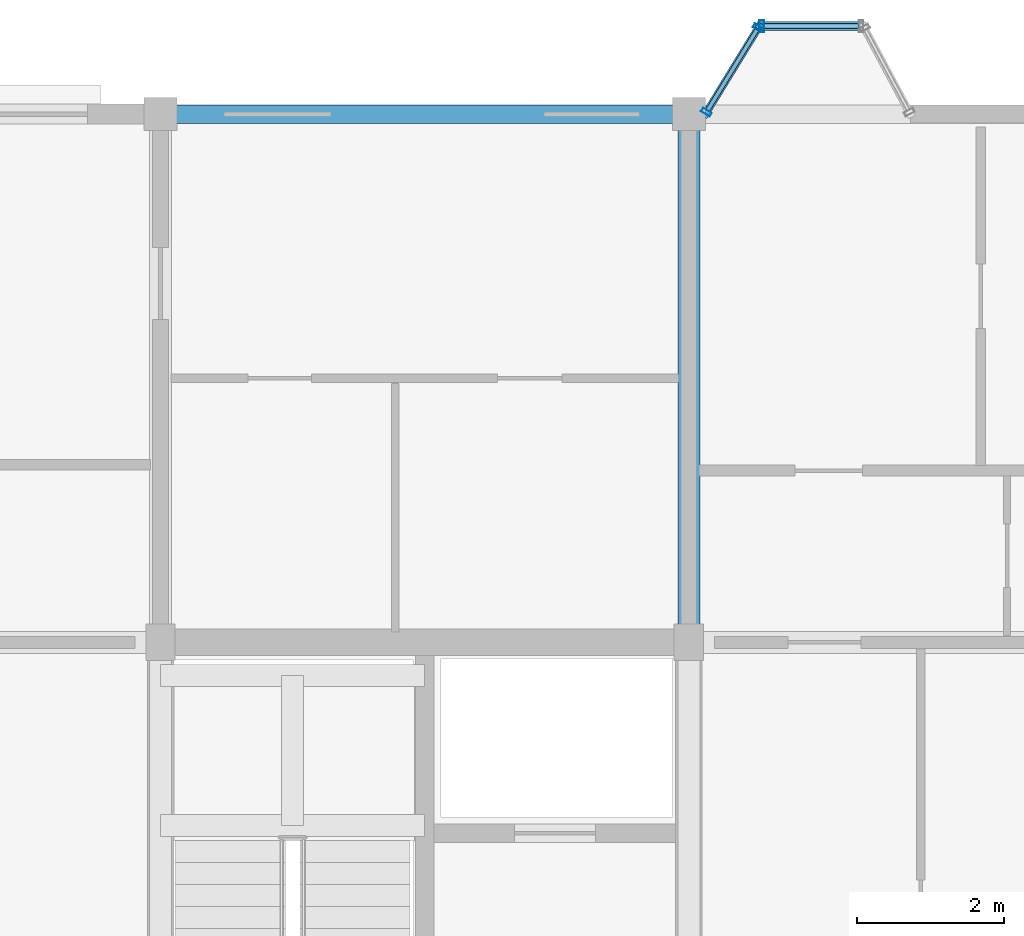
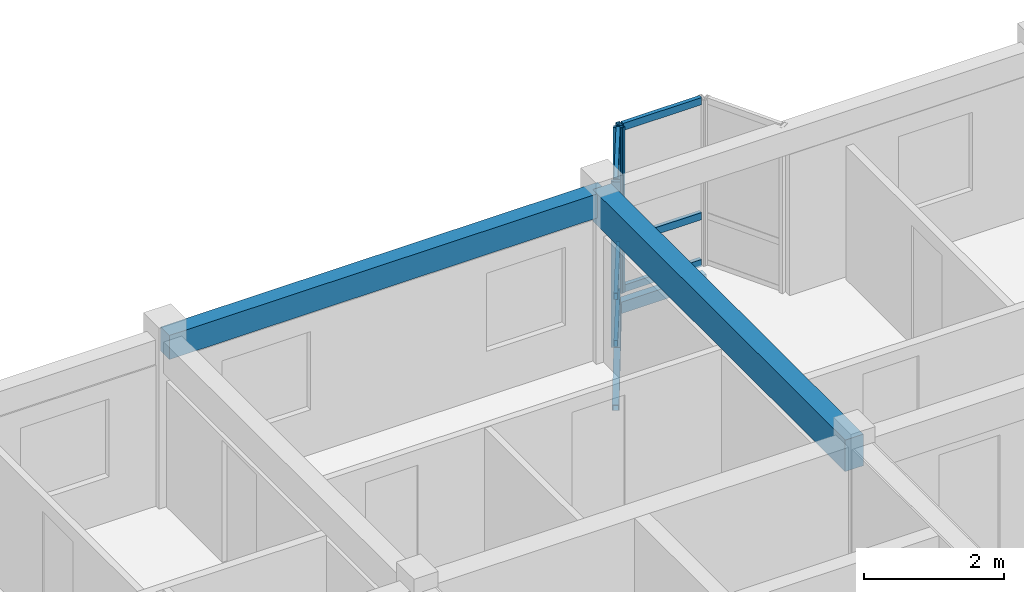
# One storey, part 19 of 40: 11 members, 2 beams, 2 elements without a shape of their own.
"""IFC4 building model written with IfcOpenShell, lengths in metres."""

from ifc_helpers import new_model, si_unit, direction, frame, origin, origin_2d, place, context, subcontext, project, spatial, rectangle, hollow_rectangle, extrude, material, layer, layer_set, material_profile, profile_set, type_object, element, aggregate, save


model = new_model("IFC4")

# Units and contexts
model_context = context("Model", 3, precision=1e-05, world=origin(), true_north=direction((0.0, 1.0)))
body_context = subcontext(model_context, "Body", "Model", "MODEL_VIEW")
ifc_project = project(units=[si_unit("LENGTHUNIT", "METRE"), si_unit("AREAUNIT", "SQUARE_METRE"), si_unit("VOLUMEUNIT", "CUBIC_METRE"), si_unit("PLANEANGLEUNIT", "RADIAN"), si_unit("MASSUNIT", "GRAM", prefix="KILO"), si_unit("THERMODYNAMICTEMPERATUREUNIT", "KELVIN"), si_unit("POWERUNIT", "WATT")], contexts=[model_context])

# Site, building, storey
site_placement = place(None, origin())
site = spatial("IfcSite", under=ifc_project, at=site_placement, CompositionType="ELEMENT")
building_placement = place(site_placement, origin())
building = spatial("IfcBuilding", under=site, at=building_placement, Name="Tavuni Mirador Residences", CompositionType="ELEMENT")
storey_placement = place(building_placement, frame((0.0, 0.0, 36.0)))
storey = spatial("IfcBuildingStorey", under=building, at=storey_placement, Name="L11", CompositionType="ELEMENT", Elevation=36.0)

# Beams
ifc_material_1 = material(Name="Precast concrete C40/50", Category="concrete")
ifc_material_profile_1 = material_profile(ifc_material_1, rectangle(XDim=0.300048828125, YDim=0.550048828125, at=origin_2d()), Name="PC 300x550", Category="concrete")
ifc_profile_set_1 = profile_set([ifc_material_profile_1], Name="Precast concrete C40/50")
beam_type_1 = type_object("IfcBeamType", Name="BT-B550", PredefinedType="BEAM", material=ifc_profile_set_1)
beam_1_placement = place(storey_placement, frame((32.39990234375, 165.60009765625, 2.610107421875), z_axis=(0.0, 1.0, 0.0), x_axis=(-1.0, 0.0, 0.0)))
element("IfcBeam", 1, at=beam_1_placement, inside=storey, type_object=beam_type_1, Name="BMY-BLK-C-L11-02-02", PredefinedType="BEAM", context=body_context, shape_type="SweptSolid", body=[
    extrude(rectangle(XDim=0.300048828125, YDim=0.550048828125, at=origin_2d()), origin(), (0.0, 0.0, 1.0), 7.199951171875),
])
ifc_material_profile_2 = material_profile(ifc_material_1, rectangle(XDim=0.25, YDim=0.419921875, at=origin_2d()), Name="PC 250x420", Category="concrete")
ifc_profile_set_2 = profile_set([ifc_material_profile_2], Name="Precast concrete C40/50")
beam_type_2 = type_object("IfcBeamType", Name="BT-SP420", PredefinedType="SPANDREL", material=ifc_profile_set_2)
beam_2_placement = place(storey_placement, frame((25.199951171875, 172.800048828125, 2.675048828125), z_axis=(1.0, 0.0, 0.0), x_axis=(0.0, 1.0, 0.0)))
element("IfcBeam", 2, at=beam_2_placement, inside=storey, type_object=beam_type_2, Name="BMX-BLK-C-L11-01-03", PredefinedType="SPANDREL", context=body_context, shape_type="SweptSolid", body=[
    extrude(rectangle(XDim=0.25, YDim=0.419921875, at=origin_2d()), origin(), (0.0, 0.0, 1.0), 7.199951171875),
])

# Curtain wall, members
ifc_material_2 = material(Name="Anodised aluminium", Category="aluminium")
ifc_layer_1 = layer(ifc_material_2, 0.1650390625, Name="Anodised aluminium", Category="aluminium")
ifc_layer_set_1 = layer_set([ifc_layer_1], Name="Anodised aluminium")
curtain_wall_type_1 = type_object("IfcCurtainWallType", Name="CWT-MIR-A", PredefinedType="NOTDEFINED", material=ifc_layer_set_1)
curtain_wall_1_placement = place(storey_placement, origin())
curtain_wall_1 = element("IfcCurtainWall", 3, at=curtain_wall_1_placement, inside=storey, type_object=curtain_wall_type_1, Name="CW-MIR-C-N2-L11-M2", PredefinedType="NOTDEFINED")
ifc_material_profile_3 = material_profile(ifc_material_2, hollow_rectangle(XDim=0.06005859375, YDim=0.139892578125, WallThickness=0.00390625, at=origin_2d()), Name="ALU 60x140x4.0", Category="aluminium")
ifc_profile_set_3 = profile_set([ifc_material_profile_3], Name="Anodised aluminium")
member_type_1 = type_object("IfcMemberType", Name="CWM-140", PredefinedType="MULLION", material=ifc_profile_set_3)
member_1_placement = place(storey_placement, frame((33.34423828125, 173.974365234375, 0.0), z_axis=(0.0, 0.0, 1.0), x_axis=(-0.522312079088, -0.852754414845, 0.0)))
member_1 = element("IfcMember", 4, at=member_1_placement, type_object=member_type_1, Name="CW-01 mullion 1", PredefinedType="MULLION", context=body_context, shape_type="SweptSolid", body=[
    extrude(hollow_rectangle(XDim=0.06005859375, YDim=0.139892578125, WallThickness=0.00390625, at=origin_2d()), origin(), (0.0, 0.0, 1.0), 2.885009765625),
])
member_2_placement = place(storey_placement, frame((32.640625, 172.82568359375, 0.0), z_axis=(0.0, 0.0, 1.0), x_axis=(-0.522312079088, -0.852754414845, 0.0)))
member_2 = element("IfcMember", 5, at=member_2_placement, type_object=member_type_1, Name="CW-01 mullion 2", PredefinedType="MULLION", context=body_context, shape_type="SweptSolid", body=[
    extrude(hollow_rectangle(XDim=0.06005859375, YDim=0.139892578125, WallThickness=0.00390625, at=origin_2d()), origin(), (0.0, 0.0, 1.0), 2.885009765625),
])

# Curtain wall, member
ifc_layer_2 = layer(ifc_material_2, 0.159912109375, Name="Anodised aluminium", Category="aluminium")
ifc_layer_set_2 = layer_set([ifc_layer_2], Name="Anodised aluminium")
curtain_wall_type_2 = type_object("IfcCurtainWallType", Name="CWT-MIR-D", PredefinedType="NOTDEFINED", material=ifc_layer_set_2)
curtain_wall_2_placement = place(storey_placement, origin())
curtain_wall_2 = element("IfcCurtainWall", 6, at=curtain_wall_2_placement, inside=storey, type_object=curtain_wall_type_2, Name="CW-MIR-C-N2-L11-MF", PredefinedType="NOTDEFINED")
ifc_material_profile_4 = material_profile(ifc_material_2, hollow_rectangle(XDim=0.06494140625, YDim=0.1650390625, WallThickness=0.00439453125, at=origin_2d()), Name="ALU 65x165x4.5", Category="aluminium")
ifc_profile_set_4 = profile_set([ifc_material_profile_4], Name="Anodised aluminium")
member_type_2 = type_object("IfcMemberType", Name="CWM-165", PredefinedType="MULLION", material=ifc_profile_set_4)
member_3_placement = place(storey_placement, frame((33.392578125, 174.0, 0.0), z_axis=(0.0, 0.0, 1.0), x_axis=(-1.0, 0.0, 0.0)))
member_3 = element("IfcMember", 7, at=member_3_placement, type_object=member_type_2, Name="CW-04 mullion 2", PredefinedType="MULLION", context=body_context, shape_type="SweptSolid", body=[
    extrude(hollow_rectangle(XDim=0.06494140625, YDim=0.1650390625, WallThickness=0.00439453125, at=origin_2d()), origin(), (0.0, 0.0, 1.0), 2.885009765625),
])

# Member
ifc_material_profile_5 = material_profile(ifc_material_2, hollow_rectangle(XDim=0.06005859375, YDim=0.110107421875, WallThickness=0.00390625, at=origin_2d()), Name="ALU 60x110x4.0", Category="aluminium")
ifc_profile_set_5 = profile_set([ifc_material_profile_5], Name="Anodised aluminium")
member_type_3 = type_object("IfcMemberType", Name="CWT-110", PredefinedType="USERDEFINED", material=ifc_profile_set_5)
member_4_placement = place(storey_placement, frame((33.32861328125, 173.94873046875, 0.030029296875), z_axis=(-0.522339663439, -0.852737518817, 0.0), x_axis=(0.852737518817, -0.522339663439, 0.0)))
member_4 = element("IfcMember", 8, at=member_4_placement, type_object=member_type_3, Name="CW-01 transom 1.1", ObjectType="TRANSOM", PredefinedType="USERDEFINED", context=body_context, shape_type="SweptSolid", body=[
    extrude(hollow_rectangle(XDim=0.06005859375, YDim=0.110107421875, WallThickness=0.00390625, at=origin_2d()), origin(), (0.0, 0.0, 1.0), 1.287109375),
])

member_5_placement = place(storey_placement, frame((33.32861328125, 173.94873046875, 0.85009765625), z_axis=(-0.522339663439, -0.852737518817, 0.0), x_axis=(0.852737518817, -0.522339663439, 0.0)))
member_5 = element("IfcMember", 9, at=member_5_placement, type_object=member_type_3, Name="CW-01 transom 1.2", ObjectType="TRANSOM", PredefinedType="USERDEFINED", context=body_context, shape_type="SweptSolid", body=[
    extrude(hollow_rectangle(XDim=0.06005859375, YDim=0.110107421875, WallThickness=0.00390625, at=origin_2d()), origin(), (0.0, 0.0, 1.0), 1.287109375),
])

member_6_placement = place(storey_placement, frame((33.32861328125, 173.94873046875, 2.85498046875), z_axis=(-0.522339663439, -0.852737518817, 0.0), x_axis=(0.852737518817, -0.522339663439, 0.0)))
member_6 = element("IfcMember", 10, at=member_6_placement, type_object=member_type_3, Name="CW-01 transom 1.3", ObjectType="TRANSOM", PredefinedType="USERDEFINED", context=body_context, shape_type="SweptSolid", body=[
    extrude(hollow_rectangle(XDim=0.06005859375, YDim=0.110107421875, WallThickness=0.00390625, at=origin_2d()), origin(), (0.0, 0.0, 1.0), 1.287109375),
])

aggregate(curtain_wall_1, [member_1, member_2, member_4, member_5, member_6])

ifc_material_profile_6 = material_profile(ifc_material_2, hollow_rectangle(XDim=0.06494140625, YDim=0.125, WallThickness=0.00439453125, at=origin_2d()), Name="ALU 65x125x4.5", Category="aluminium")
ifc_profile_set_6 = profile_set([ifc_material_profile_6], Name="Anodised aluminium")
member_type_4 = type_object("IfcMemberType", Name="CWT-125", PredefinedType="USERDEFINED", material=ifc_profile_set_6)
member_7_placement = place(storey_placement, frame((34.715087890625, 174.0, 0.032470703125), z_axis=(-1.0, 0.0, 0.0), x_axis=(0.0, -1.0, 0.0)))
member_7 = element("IfcMember", 11, at=member_7_placement, type_object=member_type_4, Name="CW-04 transom 1.1", ObjectType="TRANSOM", PredefinedType="USERDEFINED", context=body_context, shape_type="SweptSolid", body=[
    extrude(hollow_rectangle(XDim=0.06494140625, YDim=0.125, WallThickness=0.00439453125, at=origin_2d()), origin(), (0.0, 0.0, 1.0), 1.2900390625),
])

member_8_placement = place(storey_placement, frame((34.715087890625, 174.0, 0.85009765625), z_axis=(-1.0, 0.0, 0.0), x_axis=(0.0, -1.0, 0.0)))
member_8 = element("IfcMember", 12, at=member_8_placement, type_object=member_type_4, Name="CW-04 transom 1.2", ObjectType="TRANSOM", PredefinedType="USERDEFINED", context=body_context, shape_type="SweptSolid", body=[
    extrude(hollow_rectangle(XDim=0.06494140625, YDim=0.125, WallThickness=0.00439453125, at=origin_2d()), origin(), (0.0, 0.0, 1.0), 1.2900390625),
])

member_9_placement = place(storey_placement, frame((34.715087890625, 174.0, 2.8525390625), z_axis=(-1.0, 0.0, 0.0), x_axis=(0.0, -1.0, 0.0)))
member_9 = element("IfcMember", 13, at=member_9_placement, type_object=member_type_4, Name="CW-04 transom 1.3", ObjectType="TRANSOM", PredefinedType="USERDEFINED", context=body_context, shape_type="SweptSolid", body=[
    extrude(hollow_rectangle(XDim=0.06494140625, YDim=0.125, WallThickness=0.00439453125, at=origin_2d()), origin(), (0.0, 0.0, 1.0), 1.2900390625),
])

aggregate(curtain_wall_2, [member_3, member_7, member_8, member_9])

# Members
ifc_material_3 = material(Name="Structural steel S355", Category="steel")
ifc_material_profile_7 = material_profile(ifc_material_3, hollow_rectangle(XDim=0.10009765625, YDim=0.179931640625, WallThickness=0.008056640625, at=origin_2d()), Name="RHS 180x100x8.0", Category="steel")
ifc_profile_set_7 = profile_set([ifc_material_profile_7], Name="Structural steel S355")
member_type_5 = type_object("IfcMemberType", Name="MT-BR-RHS180", PredefinedType="BRACE", material=ifc_profile_set_7)
member_10_placement = place(storey_placement, frame((32.625, 172.800048828125, -1.050048828125), z_axis=(0.456180694419, 0.744645670232, 0.487239160827), x_axis=(-0.852710945369, 0.522383043033, 0.0)))
element("IfcMember", 14, at=member_10_placement, inside=storey, type_object=member_type_5, Name="MBRK-MIR-C-N2-L11-1", PredefinedType="BRACE", context=body_context, shape_type="SweptSolid", body=[
    extrude(hollow_rectangle(XDim=0.10009765625, YDim=0.179931640625, WallThickness=0.008056640625, at=origin_2d()), origin(), (0.0, 0.0, 1.0), 1.611328125),
])
ifc_material_profile_8 = material_profile(ifc_material_3, hollow_rectangle(XDim=0.1201171875, YDim=0.199951171875, WallThickness=0.010009765625, at=origin_2d()), Name="RHS 200x120x10.0", Category="steel")
ifc_profile_set_8 = profile_set([ifc_material_profile_8], Name="Structural steel S355")
member_type_6 = type_object("IfcMemberType", Name="MT-ST-RHS200", PredefinedType="STRUT", material=ifc_profile_set_8)
member_11_placement = place(storey_placement, frame((33.360107421875, 174.0, -0.264892578125), z_axis=(1.0, 0.0, 0.0), x_axis=(0.0, 1.0, 0.0)))
element("IfcMember", 15, at=member_11_placement, inside=storey, type_object=member_type_6, Name="MRIM-MIR-C-N2-L11", PredefinedType="STRUT", context=body_context, shape_type="SweptSolid", body=[
    extrude(hollow_rectangle(XDim=0.1201171875, YDim=0.199951171875, WallThickness=0.010009765625, at=origin_2d()), origin(), (0.0, 0.0, 1.0), 1.419921875),
])

save(model, "model.ifc")
